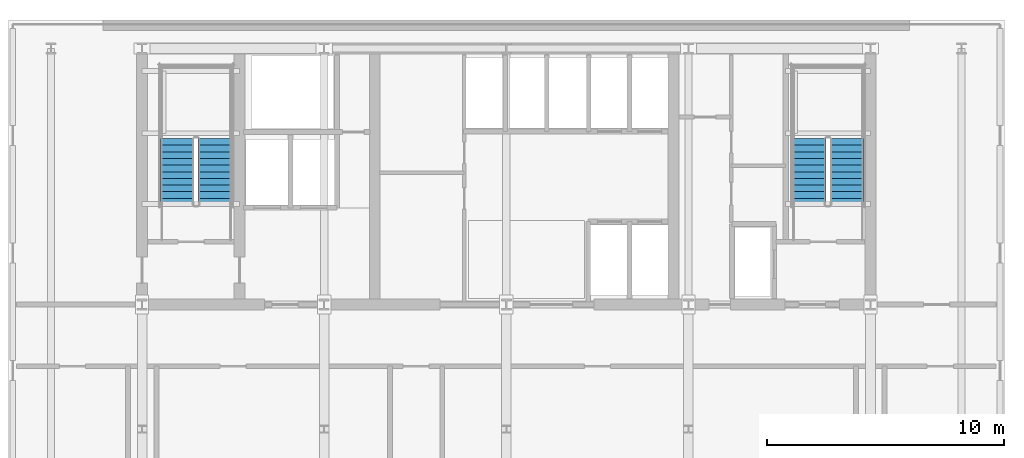
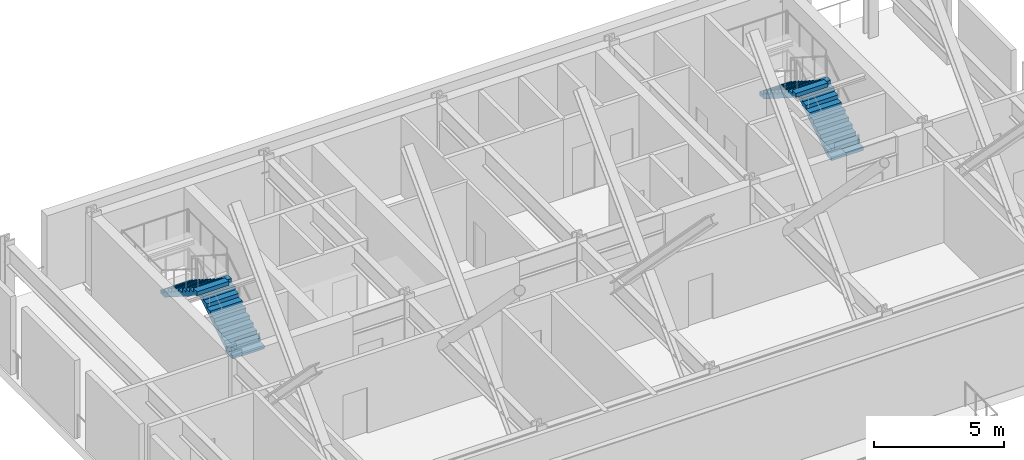
# One storey, part 4 of 8: 4 stair flights, 2 elements without a shape of their own.
"""IFC4 building model written with IfcOpenShell, lengths in metres."""

import ifcopenshell
import ifcopenshell.guid

model = None  # the IFC model being written
_history = None  # IfcOwnerHistory: only IFC2X3 demands one
_inside = {}  # id of a spatial element -> (the spatial element, [elements in it])
_under = {}  # id of a project, library or spatial element -> (it, [spatial elements below it])
_declared = {}  # id of a project -> (the project, [libraries it declares])
_typed = {}  # id of a type object -> (the type object, [elements of that type])
_made_of = {}  # id of a material, layer set ... -> (it, [elements and type objects made of it])


def new_model(schema):
    """Start an empty IFC model of exactly this schema.

    Asked for "IFC4X3", IfcOpenShell would pick the latest addendum, in which some entities
    have other attributes; the version numbers below select the first issue.
    IFC2X3 requires an IfcOwnerHistory on every rooted entity: one is made here for all.
    """
    global model, _history
    if schema == "IFC4X3":
        model = ifcopenshell.file(schema_version=(4, 3, 0, 0))
    else:
        model = ifcopenshell.file(schema=schema)
    _inside.clear()
    _under.clear()
    _declared.clear()
    _typed.clear()
    _made_of.clear()
    _history = None
    if model.schema == "IFC2X3":
        org = make("IfcOrganization", Name="unknown")
        user = make(
            "IfcPersonAndOrganization",
            ThePerson=make("IfcPerson", FamilyName="unknown"),
            TheOrganization=org,
        )
        app = make(
            "IfcApplication",
            ApplicationDeveloper=org,
            Version="unknown",
            ApplicationFullName="unknown",
            ApplicationIdentifier="unknown",
        )
        _history = make(
            "IfcOwnerHistory",
            OwningUser=user,
            OwningApplication=app,
            ChangeAction="ADDED",
            CreationDate=0,
        )
    return model


def make(cls, **values):
    """One entity of the class cls with the attributes given. An attribute that is None is left unset."""
    return model.create_entity(
        cls, **{name: value for name, value in values.items() if value is not None}
    )


def rooted(cls, **values):
    """An entity with a GlobalId (a new one), such as an element, a storey or a relation."""
    return make(cls, GlobalId=ifcopenshell.guid.new(), OwnerHistory=_history, **values)


def si_unit(unit_type, name, prefix=None):
    """IfcSIUnit, for example si_unit("LENGTHUNIT", "METRE", prefix="MILLI")."""
    return make("IfcSIUnit", UnitType=unit_type, Prefix=prefix, Name=name)


def assignment(units):
    """IfcUnitAssignment: the units of a project."""
    return None if units is None else make("IfcUnitAssignment", Units=units)


def point(xyz):
    """IfcCartesianPoint."""
    return None if xyz is None else make("IfcCartesianPoint", Coordinates=xyz)


def direction(xyz):
    """IfcDirection."""
    return None if xyz is None else make("IfcDirection", DirectionRatios=xyz)


def frame(location, z_axis=None, x_axis=None):
    """IfcAxis2Placement3D, a coordinate frame: its origin and axes. An axis left out is left unset."""
    return make(
        "IfcAxis2Placement3D",
        Location=point(location),
        Axis=direction(z_axis),
        RefDirection=direction(x_axis),
    )


def origin():
    """The frame at (0, 0, 0) with its axes left unset."""
    return frame((0.0, 0.0, 0.0))


def place(relative_to, where):
    """IfcLocalPlacement: puts the frame where relative to a parent placement (None: the world)."""
    return make(
        "IfcLocalPlacement", PlacementRelTo=relative_to, RelativePlacement=where
    )


def context(
    kind, dimensions, precision=None, world=None, true_north=None, identifier=None
):
    """IfcGeometricRepresentationContext, for example the 3D "Model" context."""
    return make(
        "IfcGeometricRepresentationContext",
        ContextIdentifier=identifier,
        ContextType=kind,
        CoordinateSpaceDimension=dimensions,
        Precision=precision,
        WorldCoordinateSystem=world,
        TrueNorth=true_north,
    )


def subcontext(parent, identifier, kind, view, scale=None):
    """IfcGeometricRepresentationSubContext, for example "Body" below "Model"."""
    return make(
        "IfcGeometricRepresentationSubContext",
        ContextIdentifier=identifier,
        ContextType=kind,
        ParentContext=parent,
        TargetScale=scale,
        TargetView=view,
    )


def project(units=None, contexts=None):
    """IfcProject with its units and contexts."""
    return rooted(
        "IfcProject",
        Name="project",
        RepresentationContexts=contexts,
        UnitsInContext=assignment(units),
    )


def spatial(cls, under=None, at=None, **own):
    """A site, building, storey or space (cls), placed at a placement, below another one or the project."""
    s = rooted(cls, ObjectPlacement=at, **own)
    if under is not None:
        _under.setdefault(under.id(), (under, []))[1].append(s)
    return s


def polyline(points):
    """IfcPolyline through the points."""
    return make("IfcPolyline", Points=[point(p) for p in points])


def outline(outer, holes=None, kind="AREA"):
    """IfcArbitraryClosedProfileDef: a profile drawn as a closed curve; with holes, ...WithVoids."""
    if holes is None:
        return make("IfcArbitraryClosedProfileDef", ProfileType=kind, OuterCurve=outer)
    return make(
        "IfcArbitraryProfileDefWithVoids",
        ProfileType=kind,
        OuterCurve=outer,
        InnerCurves=holes,
    )


def extrude(swept, where, along, depth):
    """IfcExtrudedAreaSolid: the profile swept, set in the frame where, extruded along a direction by depth."""
    return make(
        "IfcExtrudedAreaSolid",
        SweptArea=swept,
        Position=where,
        ExtrudedDirection=direction(along),
        Depth=depth,
    )


def shape(context_of_items, identifier, shape_type, items):
    """IfcShapeRepresentation: the items that make up one representation, for example the "Body"."""
    return make(
        "IfcShapeRepresentation",
        ContextOfItems=context_of_items,
        RepresentationIdentifier=identifier,
        RepresentationType=shape_type,
        Items=items,
    )


def material(Name=None, Category=None):
    """IfcMaterial."""
    return make("IfcMaterial", Name=Name, Category=Category)


def made_of(thing, what):
    """Note that an element or type object is made of a material, layer set ...; save() writes the relation."""
    if what is not None:
        _made_of.setdefault(what.id(), (what, []))[1].append(thing)
    return thing


def type_object(cls, material=None, **own):
    """A type object (cls), such as IfcWallType, which elements share."""
    return made_of(rooted(cls, **own), material)


def element(
    cls,
    number,
    at=None,
    inside=None,
    cuts=None,
    type_object=None,
    material=None,
    context=None,
    identifier="Body",
    shape_type=None,
    held_by="IfcProductDefinitionShape",
    body=None,
    shapes=None,
    **own,
):
    """One element of the class cls, such as IfcWall. Its Tag is "e" and its number.

    at: its placement. inside: the storey or other place that contains it. cuts: it is an
    opening in that element (IfcRelVoidsElement). A single representation is given by context,
    identifier, shape_type and body (its items); several are given by shapes. held_by: the class
    of the entity that holds the representations. save() writes the other relations.
    """
    e = rooted(cls, Tag="e%d" % number, ObjectPlacement=at, **own)
    if body is not None:
        shapes = [shape(context, identifier, shape_type, body)]
    if shapes is not None:
        e.Representation = make(held_by, Representations=shapes)
    if inside is not None:
        _inside.setdefault(inside.id(), (inside, []))[1].append(e)
    if cuts is not None:
        rooted(
            "IfcRelVoidsElement", RelatingBuildingElement=cuts, RelatedOpeningElement=e
        )
    if type_object is not None:
        _typed.setdefault(type_object.id(), (type_object, []))[1].append(e)
    return made_of(e, material)


def aggregate(whole, parts):
    """IfcRelAggregates: a whole, such as a stair, and the parts it consists of."""
    return rooted("IfcRelAggregates", RelatingObject=whole, RelatedObjects=parts)


def save(model, path):
    """Write the relations noted so far, then the file.

    IfcRelAggregates (storeys below a building ...), IfcRelContainedInSpatialStructure (elements
    in a storey), IfcRelDefinesByType, IfcRelAssociatesMaterial and IfcRelDeclares: one each for
    every whole, place, type object, material and project.
    """
    for whole, parts in _under.values():
        aggregate(whole, parts)
    for where, things in _inside.values():
        rooted(
            "IfcRelContainedInSpatialStructure",
            RelatedElements=things,
            RelatingStructure=where,
        )
    for kind, things in _typed.values():
        rooted("IfcRelDefinesByType", RelatedObjects=things, RelatingType=kind)
    for what, things in _made_of.values():
        rooted("IfcRelAssociatesMaterial", RelatedObjects=things, RelatingMaterial=what)
    for by, libraries in _declared.values():
        rooted("IfcRelDeclares", RelatingContext=by, RelatedDefinitions=libraries)
    model.write(path)


model = new_model("IFC4")

# Units and contexts
model_context = context("Model", 3, precision=1e-05, world=origin(), true_north=direction((0.0, 1.0)))
body_context = subcontext(model_context, "Body", "Model", "MODEL_VIEW")
ifc_project = project(units=[si_unit("LENGTHUNIT", "METRE"), si_unit("AREAUNIT", "SQUARE_METRE"), si_unit("VOLUMEUNIT", "CUBIC_METRE"), si_unit("PLANEANGLEUNIT", "RADIAN"), si_unit("MASSUNIT", "GRAM", prefix="KILO")], contexts=[model_context])

# Site, building, storey
site_placement = place(None, origin())
site = spatial("IfcSite", under=ifc_project, at=site_placement, CompositionType="ELEMENT")
building_placement = place(site_placement, origin())
building = spatial("IfcBuilding", under=site, at=building_placement, Name="Yelkora Congress Tower", CompositionType="ELEMENT")
storey_placement = place(building_placement, frame((0.0, 0.0, 137.300048828125)))
storey = spatial("IfcBuildingStorey", under=building, at=storey_placement, Name="L37", CompositionType="ELEMENT", Elevation=137.300048828125)

# Stair, stair flights
ifc_material = material(Name="Concrete C40/50", Category="concrete")
stair_type = type_object("IfcStairType", Name="STAIR-HT-1420-R22-177", PredefinedType="HALF_TURN_STAIR", material=ifc_material)
stair_1_placement = place(storey_placement, origin())
stair_1 = element("IfcStair", 1, at=stair_1_placement, inside=storey, type_object=stair_type, Name="West Core Protected Exit Stair ST-01 (L37)", PredefinedType="HALF_TURN_STAIR")
stair_flight_type = type_object("IfcStairFlightType", Name="FLIGHT-1420-N11-R177-G280", PredefinedType="STRAIGHT", material=ifc_material)
stair_flight_1_placement = place(storey_placement, frame((26.110107421875, 39.60009765625, 0.0), z_axis=(0.0, 0.0, 1.0), x_axis=(0.0, 1.0, 0.0)))
stair_flight_1 = element("IfcStairFlight", 2, at=stair_flight_1_placement, type_object=stair_flight_type, Name="ST-01 L37 Flight 1", NumberOfRisers=11, NumberOfTreads=10, PredefinedType="STRAIGHT", RiserHeight=0.177272727, TreadLength=0.28, context=body_context, shape_type="SweptSolid", body=[
    extrude(outline(polyline([(0.0, 0.0), (0.0, 0.17724609375), (0.280029296875, 0.17724609375), (0.280029296875, 0.3544921875), (0.56005859375, 0.3544921875), (0.56005859375, 0.53173828125), (0.840087890625, 0.53173828125), (0.840087890625, 0.708984375), (1.1201171875, 0.708984375), (1.1201171875, 0.886474609375), (1.39990234375, 0.886474609375), (1.39990234375, 1.063720703125), (1.679931640625, 1.063720703125), (1.679931640625, 1.240966796875), (1.9599609375, 1.240966796875), (1.9599609375, 1.418212890625), (2.239990234375, 1.418212890625), (2.239990234375, 1.595458984375), (2.52001953125, 1.595458984375), (2.52001953125, 1.772705078125), (2.800048828125, 1.772705078125), (2.800048828125, 1.949951171875), (2.800048828125, 1.58349609375), (0.298828125, 0.0), (0.0, 0.0)])), frame((0.0, 0.7099609375, 0.0), z_axis=(0.0, -1.0, 0.0), x_axis=(1.0, 0.0, 0.0)), (0.0, 0.0, 1.0), 1.419921875),
])
stair_flight_2_placement = place(storey_placement, frame((24.530029296875, 42.39990234375, 1.949951171875), z_axis=(0.0, 0.0, 1.0), x_axis=(0.0, -1.0, 0.0)))
stair_flight_2 = element("IfcStairFlight", 3, at=stair_flight_2_placement, type_object=stair_flight_type, Name="ST-01 L37 Flight 2", NumberOfRisers=11, NumberOfTreads=10, PredefinedType="STRAIGHT", RiserHeight=0.177272727, TreadLength=0.28, context=body_context, shape_type="SweptSolid", body=[
    extrude(outline(polyline([(0.0, 0.0), (0.0, 0.17724609375), (0.280029296875, 0.17724609375), (0.280029296875, 0.3544921875), (0.56005859375, 0.3544921875), (0.56005859375, 0.53173828125), (0.840087890625, 0.53173828125), (0.840087890625, 0.708984375), (1.1201171875, 0.708984375), (1.1201171875, 0.886474609375), (1.39990234375, 0.886474609375), (1.39990234375, 1.063720703125), (1.679931640625, 1.063720703125), (1.679931640625, 1.240966796875), (1.9599609375, 1.240966796875), (1.9599609375, 1.418212890625), (2.239990234375, 1.418212890625), (2.239990234375, 1.595458984375), (2.52001953125, 1.595458984375), (2.52001953125, 1.772705078125), (2.800048828125, 1.772705078125), (2.800048828125, 1.949951171875), (2.800048828125, 1.58349609375), (0.298828125, 0.0), (0.0, 0.0)])), frame((0.0, 0.7099609375, 0.0), z_axis=(0.0, -1.0, 0.0), x_axis=(1.0, 0.0, 0.0)), (0.0, 0.0, 1.0), 1.419921875),
])
aggregate(stair_1, [stair_flight_1, stair_flight_2])

stair_2_placement = place(storey_placement, origin())
stair_2 = element("IfcStair", 4, at=stair_2_placement, inside=storey, type_object=stair_type, Name="East Core Protected Exit Stair ST-02 (L37)", PredefinedType="HALF_TURN_STAIR")
stair_flight_3_placement = place(storey_placement, frame((52.75, 39.60009765625, 0.0), z_axis=(0.0, 0.0, 1.0), x_axis=(0.0, 1.0, 0.0)))
stair_flight_3 = element("IfcStairFlight", 5, at=stair_flight_3_placement, type_object=stair_flight_type, Name="ST-02 L37 Flight 1", NumberOfRisers=11, NumberOfTreads=10, PredefinedType="STRAIGHT", RiserHeight=0.177272727, TreadLength=0.28, context=body_context, shape_type="SweptSolid", body=[
    extrude(outline(polyline([(0.0, 0.0), (0.0, 0.17724609375), (0.280029296875, 0.17724609375), (0.280029296875, 0.3544921875), (0.56005859375, 0.3544921875), (0.56005859375, 0.53173828125), (0.840087890625, 0.53173828125), (0.840087890625, 0.708984375), (1.1201171875, 0.708984375), (1.1201171875, 0.886474609375), (1.39990234375, 0.886474609375), (1.39990234375, 1.063720703125), (1.679931640625, 1.063720703125), (1.679931640625, 1.240966796875), (1.9599609375, 1.240966796875), (1.9599609375, 1.418212890625), (2.239990234375, 1.418212890625), (2.239990234375, 1.595458984375), (2.52001953125, 1.595458984375), (2.52001953125, 1.772705078125), (2.800048828125, 1.772705078125), (2.800048828125, 1.949951171875), (2.800048828125, 1.58349609375), (0.298828125, 0.0), (0.0, 0.0)])), frame((0.0, 0.7099609375, 0.0), z_axis=(0.0, -1.0, 0.0), x_axis=(1.0, 0.0, 0.0)), (0.0, 0.0, 1.0), 1.419921875),
])
stair_flight_4_placement = place(storey_placement, frame((51.169921875, 42.39990234375, 1.949951171875), z_axis=(0.0, 0.0, 1.0), x_axis=(0.0, -1.0, 0.0)))
stair_flight_4 = element("IfcStairFlight", 6, at=stair_flight_4_placement, type_object=stair_flight_type, Name="ST-02 L37 Flight 2", NumberOfRisers=11, NumberOfTreads=10, PredefinedType="STRAIGHT", RiserHeight=0.177272727, TreadLength=0.28, context=body_context, shape_type="SweptSolid", body=[
    extrude(outline(polyline([(0.0, 0.0), (0.0, 0.17724609375), (0.280029296875, 0.17724609375), (0.280029296875, 0.3544921875), (0.56005859375, 0.3544921875), (0.56005859375, 0.53173828125), (0.840087890625, 0.53173828125), (0.840087890625, 0.708984375), (1.1201171875, 0.708984375), (1.1201171875, 0.886474609375), (1.39990234375, 0.886474609375), (1.39990234375, 1.063720703125), (1.679931640625, 1.063720703125), (1.679931640625, 1.240966796875), (1.9599609375, 1.240966796875), (1.9599609375, 1.418212890625), (2.239990234375, 1.418212890625), (2.239990234375, 1.595458984375), (2.52001953125, 1.595458984375), (2.52001953125, 1.772705078125), (2.800048828125, 1.772705078125), (2.800048828125, 1.949951171875), (2.800048828125, 1.58349609375), (0.298828125, 0.0), (0.0, 0.0)])), frame((0.0, 0.7099609375, 0.0), z_axis=(0.0, -1.0, 0.0), x_axis=(1.0, 0.0, 0.0)), (0.0, 0.0, 1.0), 1.419921875),
])
aggregate(stair_2, [stair_flight_3, stair_flight_4])

save(model, "model.ifc")
